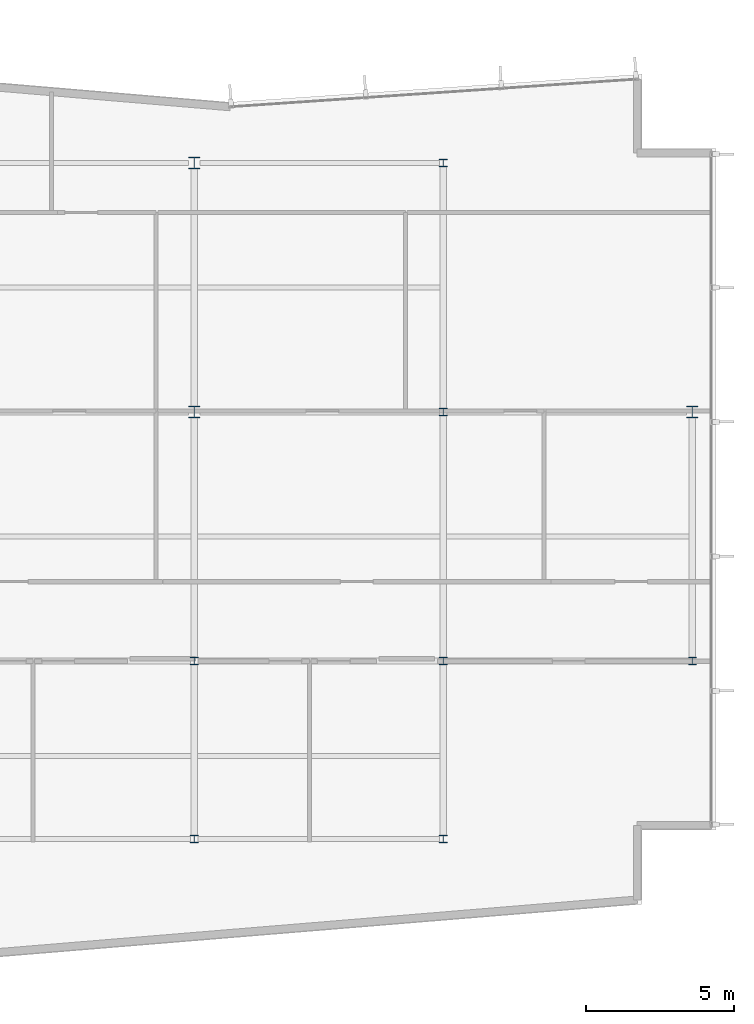
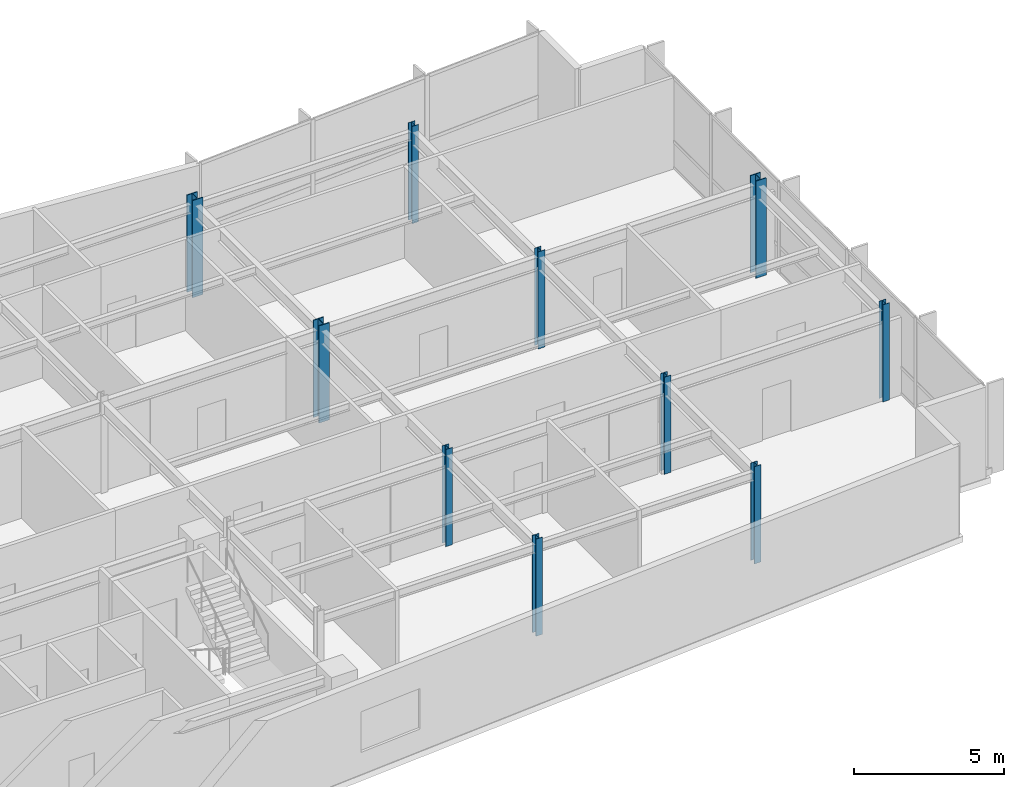
# One storey, part 2 of 15: 10 columns.
"""IFC4 building model written with IfcOpenShell, lengths in metres."""

from ifc_helpers import new_model, si_unit, direction, frame, origin, origin_2d, place, context, subcontext, project, spatial, i_section, extrude, material, material_profile, profile_set, type_object, element, save


model = new_model("IFC4")

# Units and contexts
model_context = context("Model", 3, precision=1e-05, world=origin(), true_north=direction((0.0, 1.0)))
body_context = subcontext(model_context, "Body", "Model", "MODEL_VIEW")
ifc_project = project(units=[si_unit("LENGTHUNIT", "METRE"), si_unit("AREAUNIT", "SQUARE_METRE"), si_unit("VOLUMEUNIT", "CUBIC_METRE"), si_unit("PLANEANGLEUNIT", "RADIAN"), si_unit("MASSUNIT", "GRAM", prefix="KILO")], contexts=[model_context])

# Site, building, storey
site_placement = place(None, origin())
site = spatial("IfcSite", under=ifc_project, at=site_placement, CompositionType="ELEMENT")
building_placement = place(site_placement, origin())
building = spatial("IfcBuilding", under=site, at=building_placement, Name="Varnakote Quay Hospital", CompositionType="ELEMENT")
storey_placement = place(building_placement, frame((0.0, 0.0, 207.89990234375)))
storey = spatial("IfcBuildingStorey", under=building, at=storey_placement, Name="L51", CompositionType="ELEMENT", Elevation=207.89990234375)

# Columns
ifc_material_1 = material(Name="Structural steel AS/NZS 3679.1 Grade 350 L0 (fy 340 MPa)", Category="steel")
ifc_material_profile_1 = material_profile(ifc_material_1, i_section(OverallWidth=0.256103515625, OverallDepth=0.260009765625, WebThickness=0.010498046875, FlangeThickness=0.017333984375, FilletRadius=0.0126953125, at=origin_2d()), Name="250UC89.5")
ifc_profile_set_1 = profile_set([ifc_material_profile_1], Name="Structural steel AS/NZS 3679.1 Grade 350 L0 (fy 340 MPa)")
column_type_1 = type_object("IfcColumnType", Name="COL-STL-250UC89-5", PredefinedType="COLUMN", material=ifc_profile_set_1)
for number, where, z_axis, x_axis, name in (
    (1, (33.60009765625, 6.0, 0.0), (0.0, 0.0, 1.0), (1.0, 0.0, 0.0), "L51 Structural Column C-34-6"),
    (2, (42.0, 6.0, 0.0), (0.0, 0.0, 1.0), (1.0, 0.0, 0.0), "L51 Structural Column C-42-6"),
    (3, (33.60009765625, 12.0, 0.0), (0.0, 0.0, 1.0), (1.0, 0.0, 0.0), "L51 Structural Column C-34-12"),
    (4, (42.0, 12.0, 0.0), (0.0, 0.0, 1.0), (1.0, 0.0, 0.0), "L51 Structural Column C-42-12"),
    (5, (50.39990234375, 12.0, 0.0), (0.0, 0.0, 1.0), (1.0, 0.0, 0.0), "L51 Structural Column C-50-12"),
    (6, (42.0, 20.39990234375, 0.0), (0.0, 0.0, 1.0), (1.0, 0.0, 0.0), "L51 Structural Column C-42-20"),
    (7, (42.0, 28.800048828125, 0.0), (0.0, 0.0, 1.0), (1.0, 0.0, 0.0), "L51 Structural Column C-42-29"),
):
    element("IfcColumn", number, at=place(storey_placement, frame(where, z_axis=z_axis, x_axis=x_axis)), inside=storey, type_object=column_type_1, Name=name, PredefinedType="COLUMN", context=body_context, shape_type="SweptSolid", body=[
        extrude(i_section(OverallWidth=0.256103515625, OverallDepth=0.260009765625, WebThickness=0.010498046875, FlangeThickness=0.017333984375, FilletRadius=0.0126953125, at=origin_2d()), origin(), (0.0, 0.0, 1.0), 3.9501953125),
    ])
ifc_material_2 = material(Name="Structural steel AS/NZS 3678 Grade 350 (fy 340 MPa)", Category="steel")
ifc_material_profile_2 = material_profile(ifc_material_2, i_section(OverallWidth=0.39990234375, OverallDepth=0.404052734375, WebThickness=0.02001953125, FlangeThickness=0.031982421875, at=origin_2d()), Name="400WC270")
ifc_profile_set_2 = profile_set([ifc_material_profile_2], Name="Structural steel AS/NZS 3678 Grade 350 (fy 340 MPa)")
column_type_2 = type_object("IfcColumnType", Name="COL-STL-400WC270", PredefinedType="COLUMN", material=ifc_profile_set_2)
for number, where, z_axis, x_axis, name in (
    (8, (33.60009765625, 20.39990234375, 0.0), (0.0, 0.0, 1.0), (1.0, 0.0, 0.0), "L51 Structural Column C-34-20"),
    (9, (50.39990234375, 20.39990234375, 0.0), (0.0, 0.0, 1.0), (1.0, 0.0, 0.0), "L51 Structural Column C-50-20"),
    (10, (33.60009765625, 28.800048828125, 0.0), (0.0, 0.0, 1.0), (1.0, 0.0, 0.0), "L51 Structural Column C-34-29"),
):
    element("IfcColumn", number, at=place(storey_placement, frame(where, z_axis=z_axis, x_axis=x_axis)), inside=storey, type_object=column_type_2, Name=name, PredefinedType="COLUMN", context=body_context, shape_type="SweptSolid", body=[
        extrude(i_section(OverallWidth=0.39990234375, OverallDepth=0.404052734375, WebThickness=0.02001953125, FlangeThickness=0.031982421875, at=origin_2d()), origin(), (0.0, 0.0, 1.0), 3.9501953125),
    ])

save(model, "model.ifc")
